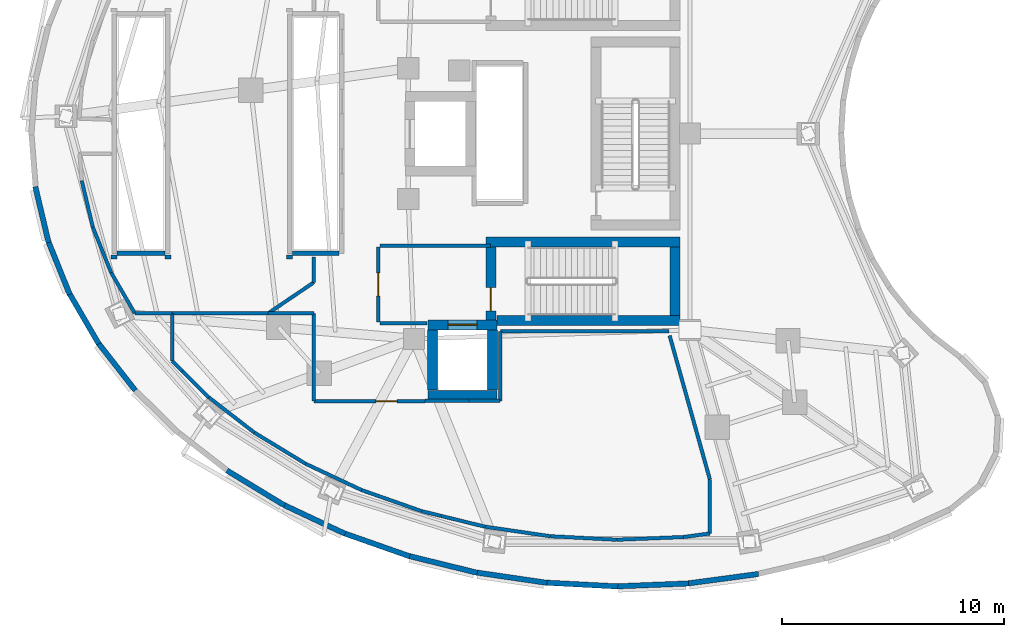
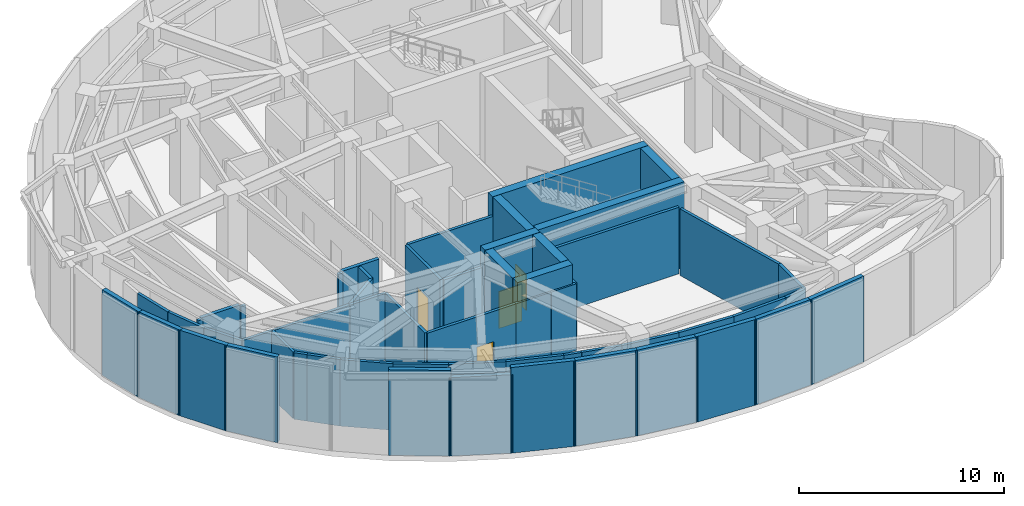
# One storey, part 4 of 10: 57 walls, 4 doors, 4 openings.
"""IFC4 building model written with IfcOpenShell, lengths in metres."""

from ifc_helpers import new_model, si_unit, direction, frame, frame_2d, origin, place, context, subcontext, project, spatial, rectangle, extrude, material, layer, layer_set, type_object, element, fill, save


model = new_model("IFC4")

# Units and contexts
model_context = context("Model", 3, precision=1e-05, world=origin(), true_north=direction((0.0, 1.0)))
body_context = subcontext(model_context, "Body", "Model", "MODEL_VIEW")
ifc_project = project(units=[si_unit("LENGTHUNIT", "METRE"), si_unit("AREAUNIT", "SQUARE_METRE"), si_unit("VOLUMEUNIT", "CUBIC_METRE"), si_unit("PLANEANGLEUNIT", "RADIAN"), si_unit("MASSUNIT", "GRAM", prefix="KILO")], contexts=[model_context])

# Site, building, storey
site_placement = place(None, origin())
site = spatial("IfcSite", under=ifc_project, at=site_placement, CompositionType="ELEMENT")
building_placement = place(site_placement, origin())
building = spatial("IfcBuilding", under=site, at=building_placement, Name="Korentha Bioscience Tower", CompositionType="ELEMENT")
storey_placement = place(building_placement, frame((0.0, 0.0, 148.800048828125)))
storey = spatial("IfcBuildingStorey", under=building, at=storey_placement, Name="L34", CompositionType="ELEMENT", Elevation=148.800048828125)

# Wall, opening, door
ifc_material_1 = material(Name="Gypsum-Clad Steel Stud", Category="steel")
ifc_layer_1 = layer(ifc_material_1, 0.159912109375, Name="Gypsum-Clad Steel Stud")
ifc_layer_set_1 = layer_set([ifc_layer_1], Name="Gypsum-Clad Steel Stud (IW-C160)")
wall_type_1 = type_object("IfcWallType", Name="Fire-Rated Corridor Partition Wall 160", PredefinedType="PARTITIONING", material=ifc_layer_set_1)
wall_1_placement = place(storey_placement, frame((23.5, 18.5, 0.0), z_axis=(0.0, 0.0, 1.0), x_axis=(0.0, 1.0, 0.0)))
wall_1 = element("IfcWall", 1, at=wall_1_placement, inside=storey, type_object=wall_type_1, Name="L34 FFLS-CW Rated Enclosure Wall", PredefinedType="PARTITIONING", context=body_context, shape_type="SweptSolid", body=[
    extrude(rectangle(XDim=3.39990234375, YDim=0.159912109375, at=frame_2d((1.699951171875, 0.0))), origin(), (0.0, 0.0, 1.0), 3.9599609375),
])
opening_1_placement = place(wall_1_placement, frame((1.175048828125, 0.0, 0.0)))
opening_1 = element("IfcOpeningElement", 2, at=opening_1_placement, cuts=wall_1, Name="Opening FD-90L", PredefinedType="OPENING", context=body_context, shape_type="SweptSolid", body=[
    extrude(rectangle(XDim=1.050048828125, YDim=2.14990234375, at=frame_2d((0.52490234375, 1.074951171875))), frame((0.0, 0.0947265625, 0.0), z_axis=(0.0, -1.0, 0.0), x_axis=(1.0, 0.0, 0.0)), (0.0, 0.0, 1.0), 0.189697265625),
])
ifc_material_2 = material(Name="Powder-Coated Fire-Rated Steel", Category="steel")
door_type_1 = type_object("IfcDoorType", Name="Stairwell Fire Exit Door 1050x2150 Left", OperationType="SINGLE_SWING_LEFT", PredefinedType="DOOR", material=ifc_material_2)
door_1_placement = place(opening_1_placement, origin())
door_1 = element("IfcDoor", 3, at=door_1_placement, inside=storey, type_object=door_type_1, Name="L34 South Firefighting Lobby Door", OperationType="SINGLE_SWING_LEFT", OverallHeight=2.14990234375, OverallWidth=1.050048828125, PredefinedType="DOOR", context=body_context, shape_type="SweptSolid", body=[
    extrude(rectangle(XDim=1.050048828125, YDim=2.14990234375, at=frame_2d((0.52490234375, 1.074951171875))), frame((0.0, 0.02490234375, 0.0), z_axis=(0.0, -1.0, 0.0), x_axis=(1.0, 0.0, 0.0)), (0.0, 0.0, 1.0), 0.050048828125),
])
fill(opening_1, door_1)

# Walls
wall_2_placement = place(storey_placement, frame((23.580078125, 21.949951171875, 0.0), z_axis=(0.0, 0.0, 1.0), x_axis=(1.0, 0.0, 0.0)))
element("IfcWall", 4, at=wall_2_placement, inside=storey, type_object=wall_type_1, Name="L34 Firefighting Lobby Return Wall FFLS-N", PredefinedType="PARTITIONING", context=body_context, shape_type="SweptSolid", body=[
    extrude(rectangle(XDim=4.969970703125, YDim=0.159912109375, at=frame_2d((2.48486328125, 0.0))), origin(), (0.0, 0.0, 1.0), 3.9599609375),
])
wall_3_placement = place(storey_placement, frame((23.580078125, 18.449951171875, 0.0), z_axis=(0.0, 0.0, 1.0), x_axis=(1.0, 0.0, 0.0)))
element("IfcWall", 5, at=wall_3_placement, inside=storey, type_object=wall_type_1, Name="L34 Firefighting Lobby Return Wall FFLS-S", PredefinedType="PARTITIONING", context=body_context, shape_type="SweptSolid", body=[
    extrude(rectangle(XDim=2.119873046875, YDim=0.159912109375, at=frame_2d((1.06005859375, 0.0))), origin(), (0.0, 0.0, 1.0), 3.9599609375),
])

# Wall, opening, door
wall_4_placement = place(storey_placement, frame((20.60009765625, 14.93994140625, 0.0), z_axis=(0.0, 0.0, 1.0), x_axis=(1.0, 0.0, 0.0)))
wall_4 = element("IfcWall", 6, at=wall_4_placement, inside=storey, type_object=wall_type_1, Name="L34 Laboratory Make-Up Air Handling Plant 01 Entrance Wall", PredefinedType="PARTITIONING", context=body_context, shape_type="SweptSolid", body=[
    extrude(rectangle(XDim=5.0, YDim=0.159912109375, at=frame_2d((2.5, 0.0))), origin(), (0.0, 0.0, 1.0), 3.9599609375),
])
opening_2_placement = place(wall_4_placement, frame((2.79443359375, 0.0, 0.0)))
opening_2 = element("IfcOpeningElement", 7, at=opening_2_placement, cuts=wall_4, Name="Opening FD-120D", PredefinedType="OPENING", context=body_context, shape_type="SweptSolid", body=[
    extrude(rectangle(XDim=0.949951171875, YDim=2.14990234375, at=frame_2d((0.47509765625, 1.074951171875))), frame((0.0, 0.0947265625, 0.0), z_axis=(0.0, -1.0, 0.0), x_axis=(1.0, 0.0, 0.0)), (0.0, 0.0, 1.0), 0.189697265625),
])
ifc_material_3 = material(Name="Heavy-Duty Insulated Steel", Category="steel")
door_type_2 = type_object("IfcDoorType", Name="Plant & Riser Fire Door 950x2150 Left", OperationType="SINGLE_SWING_LEFT", PredefinedType="DOOR", material=ifc_material_3)
door_2_placement = place(opening_2_placement, origin())
door_2 = element("IfcDoor", 8, at=door_2_placement, inside=storey, type_object=door_type_2, Name="L34 Laboratory Make-Up Air Handling Plant 01 Door", OperationType="SINGLE_SWING_LEFT", OverallHeight=2.14990234375, OverallWidth=0.949951171875, PredefinedType="DOOR", context=body_context, shape_type="SweptSolid", body=[
    extrude(rectangle(XDim=0.949951171875, YDim=2.14990234375, at=frame_2d((0.47509765625, 1.074951171875))), frame((0.0, 0.02490234375, 0.0), z_axis=(0.0, -1.0, 0.0), x_axis=(1.0, 0.0, 0.0)), (0.0, 0.0, 1.0), 0.050048828125),
])
fill(opening_2, door_2)

# Walls
wall_5_placement = place(storey_placement, frame((14.2021484375, 18.89794921875, 0.0), z_axis=(0.0, 0.0, 1.0), x_axis=(1.0, 0.0, 0.0)))
element("IfcWall", 9, at=wall_5_placement, inside=storey, type_object=wall_type_1, Name="L34 Interior Partition 005", PredefinedType="PARTITIONING", context=body_context, shape_type="SweptSolid", body=[
    extrude(rectangle(XDim=4.32763671875, YDim=0.159912109375, at=frame_2d((2.163818359375, 0.0))), origin(), (0.0, 0.0, 1.0), 3.9599609375),
])
wall_6_placement = place(storey_placement, frame((18.537109375, 18.89794921875, 0.0), z_axis=(0.0, 0.0, 1.0), x_axis=(1.0, 0.0, 0.0)))
element("IfcWall", 10, at=wall_6_placement, inside=storey, type_object=wall_type_1, Name="L34 Interior Partition 006", PredefinedType="PARTITIONING", context=body_context, shape_type="SweptSolid", body=[
    extrude(rectangle(XDim=2.052978515625, YDim=0.159912109375, at=frame_2d((1.0263671875, 0.0))), origin(), (0.0, 0.0, 1.0), 3.9599609375),
])
wall_7_placement = place(storey_placement, frame((20.590087890625, 18.89794921875, 0.0), z_axis=(0.0, 0.0, 1.0), x_axis=(0.0, -1.0, 0.0)))
element("IfcWall", 11, at=wall_7_placement, inside=storey, type_object=wall_type_1, Name="L34 Interior Partition 007", PredefinedType="PARTITIONING", context=body_context, shape_type="SweptSolid", body=[
    extrude(rectangle(XDim=3.947998046875, YDim=0.159912109375, at=frame_2d((1.97412109375, 0.0))), origin(), (0.0, 0.0, 1.0), 3.9599609375),
])
wall_8_placement = place(storey_placement, frame((25.610107421875, 14.949951171875, 0.0), z_axis=(0.0, 0.0, 1.0), x_axis=(1.0, 0.0, 0.0)))
element("IfcWall", 12, at=wall_8_placement, inside=storey, type_object=wall_type_1, Name="L34 Interior Partition 008", PredefinedType="PARTITIONING", context=body_context, shape_type="SweptSolid", body=[
    extrude(rectangle(XDim=1.972412109375, YDim=0.159912109375, at=frame_2d((0.986328125, 0.0))), origin(), (0.0, 0.0, 1.0), 3.9599609375),
])
wall_9_placement = place(storey_placement, frame((27.5869140625, 14.949951171875, 0.0), z_axis=(0.0, 0.0, 1.0), x_axis=(1.0, 0.0, 0.0)))
element("IfcWall", 13, at=wall_9_placement, inside=storey, type_object=wall_type_1, Name="L34 Interior Partition 009", PredefinedType="PARTITIONING", context=body_context, shape_type="SweptSolid", body=[
    extrude(rectangle(XDim=1.4091796875, YDim=0.159912109375, at=frame_2d((0.70458984375, 0.0))), origin(), (0.0, 0.0, 1.0), 3.9599609375),
])
wall_10_placement = place(storey_placement, frame((29.0, 14.9541015625, 0.0), z_axis=(0.0, 0.0, 1.0), x_axis=(0.0, 1.0, 0.0)))
element("IfcWall", 14, at=wall_10_placement, inside=storey, type_object=wall_type_1, Name="L34 Interior Partition 010", PredefinedType="PARTITIONING", context=body_context, shape_type="SweptSolid", body=[
    extrude(rectangle(XDim=3.135986328125, YDim=0.159912109375, at=frame_2d((1.56787109375, 0.0))), origin(), (0.0, 0.0, 1.0), 3.9599609375),
])
wall_11_placement = place(storey_placement, frame((29.0, 18.090087890625, 0.0), z_axis=(0.0, 0.0, 1.0), x_axis=(1.0, 0.0, 0.0)))
element("IfcWall", 15, at=wall_11_placement, inside=storey, type_object=wall_type_1, Name="L34 Interior Partition 011", PredefinedType="PARTITIONING", context=body_context, shape_type="SweptSolid", body=[
    extrude(rectangle(XDim=7.602294921875, YDim=0.159912109375, at=frame_2d((3.80126953125, 0.0))), origin(), (0.0, 0.0, 1.0), 3.9599609375),
])
wall_12_placement = place(storey_placement, frame((36.63525390625, 17.893798828125, 0.0), z_axis=(0.0, 0.0, 1.0), x_axis=(0.269468384464, -0.963009236599, 0.0)))
element("IfcWall", 16, at=wall_12_placement, inside=storey, type_object=wall_type_1, Name="L34 Interior Partition 012", PredefinedType="PARTITIONING", context=body_context, shape_type="SweptSolid", body=[
    extrude(rectangle(XDim=6.72705078125, YDim=0.159912109375, at=frame_2d((3.363525390625, 0.0))), origin(), (0.0, 0.0, 1.0), 3.9599609375),
])
wall_13_placement = place(storey_placement, frame((38.447998046875, 11.415283203125, 0.0), z_axis=(0.0, 0.0, 1.0), x_axis=(0.0, -1.0, 0.0)))
element("IfcWall", 17, at=wall_13_placement, inside=storey, type_object=wall_type_1, Name="L34 Interior Partition 013", PredefinedType="PARTITIONING", context=body_context, shape_type="SweptSolid", body=[
    extrude(rectangle(XDim=2.443359375, YDim=0.159912109375, at=frame_2d((1.2216796875, 0.0))), origin(), (0.0, 0.0, 1.0), 3.9599609375),
])
wall_14_placement = place(storey_placement, frame((38.447998046875, 8.9716796875, 0.0), z_axis=(0.0, 0.0, 1.0), x_axis=(-0.991155201979, -0.132707820379, 0.0)))
element("IfcWall", 18, at=wall_14_placement, inside=storey, type_object=wall_type_1, Name="L34 Interior Partition 014", PredefinedType="PARTITIONING", context=body_context, shape_type="SweptSolid", body=[
    extrude(rectangle(XDim=1.205078125, YDim=0.159912109375, at=frame_2d((0.6025390625, 0.0))), origin(), (0.0, 0.0, 1.0), 3.9599609375),
])
wall_15_placement = place(storey_placement, frame((37.25341796875, 8.811767578125, 0.0), z_axis=(0.0, 0.0, 1.0), x_axis=(-0.999189222559, -0.040260371605, 0.0)))
element("IfcWall", 19, at=wall_15_placement, inside=storey, type_object=wall_type_1, Name="L34 Interior Partition 015", PredefinedType="PARTITIONING", context=body_context, shape_type="SweptSolid", body=[
    extrude(rectangle(XDim=3.001708984375, YDim=0.159912109375, at=frame_2d((1.5009765625, 0.0))), origin(), (0.0, 0.0, 1.0), 3.9599609375),
])
wall_16_placement = place(storey_placement, frame((34.25390625, 8.69091796875, 0.0), z_axis=(0.0, 0.0, 1.0), x_axis=(-0.998638877547, 0.052157379655, 0.0)))
element("IfcWall", 20, at=wall_16_placement, inside=storey, type_object=wall_type_1, Name="L34 Interior Partition 016", PredefinedType="PARTITIONING", context=body_context, shape_type="SweptSolid", body=[
    extrude(rectangle(XDim=3.00048828125, YDim=0.159912109375, at=frame_2d((1.500244140625, 0.0))), origin(), (0.0, 0.0, 1.0), 3.9599609375),
])
wall_17_placement = place(storey_placement, frame((31.25732421875, 8.847412109375, 0.0), z_axis=(0.0, 0.0, 1.0), x_axis=(-0.989461637153, 0.144795264436, 0.0)))
element("IfcWall", 21, at=wall_17_placement, inside=storey, type_object=wall_type_1, Name="L34 Interior Partition 017", PredefinedType="PARTITIONING", context=body_context, shape_type="SweptSolid", body=[
    extrude(rectangle(XDim=2.977783203125, YDim=0.159912109375, at=frame_2d((1.48876953125, 0.0))), origin(), (0.0, 0.0, 1.0), 3.9599609375),
])
wall_18_placement = place(storey_placement, frame((28.310791015625, 9.27880859375, 0.0), z_axis=(0.0, 0.0, 1.0), x_axis=(-0.971322169491, 0.237767203488, 0.0)))
element("IfcWall", 22, at=wall_18_placement, inside=storey, type_object=wall_type_1, Name="L34 Interior Partition 018", PredefinedType="PARTITIONING", context=body_context, shape_type="SweptSolid", body=[
    extrude(rectangle(XDim=2.037109375, YDim=0.159912109375, at=frame_2d((1.0185546875, 0.0))), origin(), (0.0, 0.0, 1.0), 3.9599609375),
])
wall_19_placement = place(storey_placement, frame((26.327880859375, 9.76416015625, 0.0), z_axis=(0.0, 0.0, 1.0), x_axis=(-0.971320502907, 0.237774011685, 0.0)))
element("IfcWall", 23, at=wall_19_placement, inside=storey, type_object=wall_type_1, Name="L34 Interior Partition 019", PredefinedType="PARTITIONING", context=body_context, shape_type="SweptSolid", body=[
    extrude(rectangle(XDim=0.893310546875, YDim=0.159912109375, at=frame_2d((0.44677734375, 0.0))), origin(), (0.0, 0.0, 1.0), 3.9599609375),
])
wall_20_placement = place(storey_placement, frame((25.4599609375, 9.9765625, 0.0), z_axis=(0.0, 0.0, 1.0), x_axis=(-0.943496054003, 0.331383759531, 0.0)))
element("IfcWall", 24, at=wall_20_placement, inside=storey, type_object=wall_type_1, Name="L34 Interior Partition 020", PredefinedType="PARTITIONING", context=body_context, shape_type="SweptSolid", body=[
    extrude(rectangle(XDim=2.87255859375, YDim=0.159912109375, at=frame_2d((1.436279296875, 0.0))), origin(), (0.0, 0.0, 1.0), 3.9599609375),
])
wall_21_placement = place(storey_placement, frame((22.74951171875, 10.928466796875, 0.0), z_axis=(0.0, 0.0, 1.0), x_axis=(-0.905016637479, 0.425376169861, 0.0)))
element("IfcWall", 25, at=wall_21_placement, inside=storey, type_object=wall_type_1, Name="L34 Interior Partition 021", PredefinedType="PARTITIONING", context=body_context, shape_type="SweptSolid", body=[
    extrude(rectangle(XDim=2.7939453125, YDim=0.159912109375, at=frame_2d((1.39697265625, 0.0))), origin(), (0.0, 0.0, 1.0), 3.9599609375),
])
wall_22_placement = place(storey_placement, frame((20.220703125, 12.1171875, 0.0), z_axis=(0.0, 0.0, 1.0), x_axis=(-0.854561256141, 0.519350613269, 0.0)))
element("IfcWall", 26, at=wall_22_placement, inside=storey, type_object=wall_type_1, Name="L34 Interior Partition 022", PredefinedType="PARTITIONING", context=body_context, shape_type="SweptSolid", body=[
    extrude(rectangle(XDim=2.7021484375, YDim=0.159912109375, at=frame_2d((1.35107421875, 0.0))), origin(), (0.0, 0.0, 1.0), 3.9599609375),
])
wall_23_placement = place(storey_placement, frame((17.911376953125, 13.5205078125, 0.0), z_axis=(0.0, 0.0, 1.0), x_axis=(-0.790528685489, 0.612425013711, 0.0)))
element("IfcWall", 27, at=wall_23_placement, inside=storey, type_object=wall_type_1, Name="L34 Interior Partition 023", PredefinedType="PARTITIONING", context=body_context, shape_type="SweptSolid", body=[
    extrude(rectangle(XDim=2.600341796875, YDim=0.159912109375, at=frame_2d((1.30029296875, 0.0))), origin(), (0.0, 0.0, 1.0), 3.9599609375),
])
wall_24_placement = place(storey_placement, frame((15.85546875, 15.11328125, 0.0), z_axis=(0.0, 0.0, 1.0), x_axis=(-0.711498621038, 0.702687492604, 0.0)))
element("IfcWall", 28, at=wall_24_placement, inside=storey, type_object=wall_type_1, Name="L34 Interior Partition 024", PredefinedType="PARTITIONING", context=body_context, shape_type="SweptSolid", body=[
    extrude(rectangle(XDim=1.66259765625, YDim=0.159912109375, at=frame_2d((0.831298828125, 0.0))), origin(), (0.0, 0.0, 1.0), 3.9599609375),
])
wall_25_placement = place(storey_placement, frame((14.669677734375, 16.28466796875, 0.0), z_axis=(0.0, 0.0, 1.0), x_axis=(-0.711551531629, 0.702633914522, 0.0)))
element("IfcWall", 29, at=wall_25_placement, inside=storey, type_object=wall_type_1, Name="L34 Interior Partition 025", PredefinedType="PARTITIONING", context=body_context, shape_type="SweptSolid", body=[
    extrude(rectangle(XDim=0.656982421875, YDim=0.159912109375, at=frame_2d((0.32861328125, 0.0))), origin(), (0.0, 0.0, 1.0), 3.9599609375),
])
wall_26_placement = place(storey_placement, frame((14.201904296875, 16.74658203125, 0.0), z_axis=(0.0, 0.0, 1.0), x_axis=(0.0, 1.0, 0.0)))
element("IfcWall", 30, at=wall_26_placement, inside=storey, type_object=wall_type_1, Name="L34 Interior Partition 026", PredefinedType="PARTITIONING", context=body_context, shape_type="SweptSolid", body=[
    extrude(rectangle(XDim=2.1513671875, YDim=0.159912109375, at=frame_2d((1.07568359375, 0.0))), origin(), (0.0, 0.0, 1.0), 3.9599609375),
])
wall_27_placement = place(storey_placement, frame((19.35009765625, 21.43994140625, 0.0), z_axis=(0.0, 0.0, 1.0), x_axis=(1.0, 0.0, 0.0)))
element("IfcWall", 31, at=wall_27_placement, inside=storey, type_object=wall_type_1, Name="L34 Interior Partition 054", PredefinedType="PARTITIONING", context=body_context, shape_type="SweptSolid", body=[
    extrude(rectangle(XDim=0.27001953125, YDim=0.159912109375, at=frame_2d((0.135009765625, 0.0))), origin(), (0.0, 0.0, 1.0), 3.9599609375),
])
wall_28_placement = place(storey_placement, frame((20.590087890625, 21.43994140625, 0.0), z_axis=(0.0, 0.0, 1.0), x_axis=(0.0, -1.0, 0.0)))
element("IfcWall", 32, at=wall_28_placement, inside=storey, type_object=wall_type_1, Name="L34 Interior Partition 055", PredefinedType="PARTITIONING", context=body_context, shape_type="SweptSolid", body=[
    extrude(rectangle(XDim=1.147216796875, YDim=0.159912109375, at=frame_2d((0.57373046875, 0.0))), origin(), (0.0, 0.0, 1.0), 3.9599609375),
])
wall_29_placement = place(storey_placement, frame((20.590087890625, 20.292724609375, 0.0), z_axis=(0.0, 0.0, 1.0), x_axis=(-0.828075588366, -0.560616464217, 0.0)))
element("IfcWall", 33, at=wall_29_placement, inside=storey, type_object=wall_type_1, Name="L34 Interior Partition 056", PredefinedType="PARTITIONING", context=body_context, shape_type="SweptSolid", body=[
    extrude(rectangle(XDim=2.469970703125, YDim=0.159912109375, at=frame_2d((1.23486328125, 0.0))), origin(), (0.0, 0.0, 1.0), 3.9599609375),
])
wall_30_placement = place(storey_placement, frame((14.19287109375, 18.902099609375, 0.0), z_axis=(0.0, 0.0, 1.0), x_axis=(-1.0, 0.0, 0.0)))
element("IfcWall", 34, at=wall_30_placement, inside=storey, type_object=wall_type_1, Name="L34 Interior Partition 057", PredefinedType="PARTITIONING", context=body_context, shape_type="SweptSolid", body=[
    extrude(rectangle(XDim=1.673095703125, YDim=0.159912109375, at=frame_2d((0.83642578125, 0.0))), origin(), (0.0, 0.0, 1.0), 3.9599609375),
])
wall_31_placement = place(storey_placement, frame((12.51953125, 18.902099609375, 0.0), z_axis=(0.0, 0.0, 1.0), x_axis=(-0.503125336015, 0.864213455264, 0.0)))
element("IfcWall", 35, at=wall_31_placement, inside=storey, type_object=wall_type_1, Name="L34 Interior Partition 058", PredefinedType="PARTITIONING", context=body_context, shape_type="SweptSolid", body=[
    extrude(rectangle(XDim=2.11767578125, YDim=0.159912109375, at=frame_2d((1.058837890625, 0.0))), origin(), (0.0, 0.0, 1.0), 3.9599609375),
])
wall_32_placement = place(storey_placement, frame((11.453857421875, 20.732421875, 0.0), z_axis=(0.0, 0.0, 1.0), x_axis=(-0.373899477322, 0.927469234454, 0.0)))
element("IfcWall", 36, at=wall_32_placement, inside=storey, type_object=wall_type_1, Name="L34 Interior Partition 059", PredefinedType="PARTITIONING", context=body_context, shape_type="SweptSolid", body=[
    extrude(rectangle(XDim=2.213623046875, YDim=0.159912109375, at=frame_2d((1.10693359375, 0.0))), origin(), (0.0, 0.0, 1.0), 3.9599609375),
])
wall_33_placement = place(storey_placement, frame((10.6259765625, 22.785400390625, 0.0), z_axis=(0.0, 0.0, 1.0), x_axis=(-0.230788212147, 0.973004008796, 0.0)))
element("IfcWall", 37, at=wall_33_placement, inside=storey, type_object=wall_type_1, Name="L34 Interior Partition 060", PredefinedType="PARTITIONING", context=body_context, shape_type="SweptSolid", body=[
    extrude(rectangle(XDim=2.15478515625, YDim=0.159912109375, at=frame_2d((1.077392578125, 0.0))), origin(), (0.0, 0.0, 1.0), 3.9599609375),
])
for number, where, z_axis, x_axis, name in (
    (38, (11.449951171875, 21.43994140625, 0.0), (0.0, 0.0, 1.0), (1.0, 0.0, 0.0), "L34 Interior Partition 063"),
    (39, (13.8798828125, 21.43994140625, 0.0), (0.0, 0.0, 1.0), (1.0, 0.0, 0.0), "L34 Interior Partition 064"),
):
    element("IfcWall", number, at=place(storey_placement, frame(where, z_axis=z_axis, x_axis=x_axis)), inside=storey, type_object=wall_type_1, Name=name, PredefinedType="PARTITIONING", context=body_context, shape_type="SweptSolid", body=[
        extrude(rectangle(XDim=0.27001953125, YDim=0.159912109375, at=frame_2d((0.135009765625, 0.0))), origin(), (0.0, 0.0, 1.0), 3.9599609375),
    ])
ifc_material_4 = material(Name="Autoclaved Aerated Concrete Block C25", Category="concrete")
ifc_layer_2 = layer(ifc_material_4, 0.199951171875, Name="Autoclaved Aerated Concrete Block C25")
ifc_layer_set_2 = layer_set([ifc_layer_2], Name="Autoclaved Aerated Concrete Block C25 (IW-S200)")
wall_type_2 = type_object("IfcWallType", Name="Lift and Riser Shaft Enclosure Wall 200", PredefinedType="PARTITIONING", material=ifc_layer_set_2)
wall_34_placement = place(storey_placement, frame((11.719970703125, 21.60009765625, 0.0), z_axis=(0.0, 0.0, 1.0), x_axis=(1.0, 0.0, 0.0)))
element("IfcWall", 40, at=wall_34_placement, inside=storey, type_object=wall_type_2, Name="L34 Lift Bank LOW Shaft Wall -Y", PredefinedType="PARTITIONING", context=body_context, shape_type="SweptSolid", body=[
    extrude(rectangle(XDim=2.159912109375, YDim=0.199951171875, at=frame_2d((1.080078125, 0.0))), origin(), (0.0, 0.0, 1.0), 3.9599609375),
])
wall_35_placement = place(storey_placement, frame((19.6201171875, 21.60009765625, 0.0), z_axis=(0.0, 0.0, 1.0), x_axis=(1.0, 0.0, 0.0)))
element("IfcWall", 41, at=wall_35_placement, inside=storey, type_object=wall_type_2, Name="L34 Lift Bank MID Shaft Wall -Y", PredefinedType="PARTITIONING", context=body_context, shape_type="SweptSolid", body=[
    extrude(rectangle(XDim=2.10986328125, YDim=0.199951171875, at=frame_2d((1.054931640625, 0.0))), origin(), (0.0, 0.0, 1.0), 3.9599609375),
])
ifc_material_5 = material(Name="Concrete C80", Category="concrete")
ifc_layer_3 = layer(ifc_material_5, 0.449951171875, Name="Concrete C80")
ifc_layer_set_3 = layer_set([ifc_layer_3], Name="Concrete C80 (CW-C80)")
wall_type_3 = type_object("IfcWallType", Name="Lower Core Shear Wall 450", PredefinedType="SHEAR", material=ifc_layer_set_3)
wall_36_placement = place(storey_placement, frame((28.85205078125, 18.574951171875, 0.0), z_axis=(0.0, 0.0, 1.0), x_axis=(1.0, 0.0, 0.0)))
element("IfcWall", 42, at=wall_36_placement, inside=storey, type_object=wall_type_3, Name="L34 Core Shear Wall ST2-S", PredefinedType="SHEAR", context=body_context, shape_type="SweptSolid", body=[
    extrude(rectangle(XDim=8.248046875, YDim=0.449951171875, at=frame_2d((4.1240234375, 0.0))), origin(), (0.0, 0.0, 1.0), 5.099853515625),
])
wall_37_placement = place(storey_placement, frame((28.35009765625, 22.125, 0.0), z_axis=(0.0, 0.0, 1.0), x_axis=(1.0, 0.0, 0.0)))
element("IfcWall", 43, at=wall_37_placement, inside=storey, type_object=wall_type_3, Name="L34 Core Shear Wall ST2-N", PredefinedType="SHEAR", context=body_context, shape_type="SweptSolid", body=[
    extrude(rectangle(XDim=8.75, YDim=0.449951171875, at=frame_2d((4.375, 0.0))), origin(), (0.0, 0.0, 1.0), 5.099853515625),
])
wall_38_placement = place(storey_placement, frame((36.875, 18.81005859375, 0.0), z_axis=(0.0, 0.0, 1.0), x_axis=(0.0, 1.0, 0.0)))
element("IfcWall", 44, at=wall_38_placement, inside=storey, type_object=wall_type_3, Name="L34 Core Shear Wall ST2-E", PredefinedType="SHEAR", context=body_context, shape_type="SweptSolid", body=[
    extrude(rectangle(XDim=3.079833984375, YDim=0.449951171875, at=frame_2d((1.5400390625, 0.0))), origin(), (0.0, 0.0, 1.0), 5.099853515625),
])

# Wall, opening, door
wall_39_placement = place(storey_placement, frame((28.574951171875, 18.60693359375, 0.0), z_axis=(0.0, 0.0, 1.0), x_axis=(0.0, 1.0, 0.0)))
wall_39 = element("IfcWall", 45, at=wall_39_placement, inside=storey, type_object=wall_type_3, Name="L34 Core Shear Wall ST2-W", PredefinedType="SHEAR", context=body_context, shape_type="SweptSolid", body=[
    extrude(rectangle(XDim=3.282958984375, YDim=0.449951171875, at=frame_2d((1.6416015625, 0.0))), origin(), (0.0, 0.0, 1.0), 5.099853515625),
])
opening_3_placement = place(wall_39_placement, frame((0.403076171875, 0.0, 0.0)))
opening_3 = element("IfcOpeningElement", 46, at=opening_3_placement, cuts=wall_39, Name="Opening FD-90L", PredefinedType="OPENING", context=body_context, shape_type="SweptSolid", body=[
    extrude(rectangle(XDim=1.050048828125, YDim=2.14990234375, at=frame_2d((0.52490234375, 1.074951171875))), frame((0.0, 0.23974609375, 0.0), z_axis=(0.0, -1.0, 0.0), x_axis=(1.0, 0.0, 0.0)), (0.0, 0.0, 1.0), 0.479736328125),
])
door_3_placement = place(opening_3_placement, origin())
door_3 = element("IfcDoor", 47, at=door_3_placement, inside=storey, type_object=door_type_1, Name="L34 ST-2 Fire Exit Stair Door", OperationType="SINGLE_SWING_LEFT", OverallHeight=2.14990234375, OverallWidth=1.050048828125, PredefinedType="DOOR", context=body_context, shape_type="SweptSolid", body=[
    extrude(rectangle(XDim=1.050048828125, YDim=2.14990234375, at=frame_2d((0.52490234375, 1.074951171875))), frame((0.0, 0.02490234375, 0.0), z_axis=(0.0, -1.0, 0.0), x_axis=(1.0, 0.0, 0.0)), (0.0, 0.0, 1.0), 0.050048828125),
])
fill(opening_3, door_3)

# Wall
wall_40_placement = place(storey_placement, frame((25.75, 15.199951171875, 0.0), z_axis=(0.0, 0.0, 1.0), x_axis=(1.0, 0.0, 0.0)))
element("IfcWall", 48, at=wall_40_placement, inside=storey, type_object=wall_type_3, Name="L34 Core Shear Wall FFL1-S", PredefinedType="SHEAR", context=body_context, shape_type="SweptSolid", body=[
    extrude(rectangle(XDim=3.10009765625, YDim=0.449951171875, at=frame_2d((1.550048828125, 0.0))), origin(), (0.0, 0.0, 1.0), 5.099853515625),
])

# Wall, opening, door
wall_41_placement = place(storey_placement, frame((25.75, 18.3798828125, 0.0), z_axis=(0.0, 0.0, 1.0), x_axis=(1.0, 0.0, 0.0)))
wall_41 = element("IfcWall", 49, at=wall_41_placement, inside=storey, type_object=wall_type_3, Name="L34 Core Shear Wall FFL1-N", PredefinedType="SHEAR", context=body_context, shape_type="SweptSolid", body=[
    extrude(rectangle(XDim=3.10009765625, YDim=0.449951171875, at=frame_2d((1.550048828125, 0.0))), origin(), (0.0, 0.0, 1.0), 5.099853515625),
])
opening_4_placement = place(wall_41_placement, frame((0.89990234375, 0.0, 0.0)))
opening_4 = element("IfcOpeningElement", 50, at=opening_4_placement, cuts=wall_41, Name="Opening LD-13", PredefinedType="OPENING", context=body_context, shape_type="SweptSolid", body=[
    extrude(rectangle(XDim=1.300048828125, YDim=2.199951171875, at=frame_2d((0.64990234375, 1.10009765625))), frame((0.0, 0.23974609375, 0.0), z_axis=(0.0, -1.0, 0.0), x_axis=(1.0, 0.0, 0.0)), (0.0, 0.0, 1.0), 0.479736328125),
])
ifc_material_6 = material(Name="Brushed Stainless Steel 316", Category="steel")
door_type_3 = type_object("IfcDoorType", Name="Service & Firefighting Lift Landing Door 1300x2300", OperationType="DOUBLE_DOOR_SLIDING", PredefinedType="DOOR", material=ifc_material_6)
door_4_placement = place(opening_4_placement, origin())
door_4 = element("IfcDoor", 51, at=door_4_placement, inside=storey, type_object=door_type_3, Name="L34 FFL-1 Sliding Lift Landing Door", OperationType="DOUBLE_DOOR_SLIDING", OverallHeight=2.199951171875, OverallWidth=1.300048828125, PredefinedType="DOOR", context=body_context, shape_type="SweptSolid", body=[
    extrude(rectangle(XDim=1.300048828125, YDim=2.199951171875, at=frame_2d((0.64990234375, 1.10009765625))), frame((0.0, 0.02490234375, 0.0), z_axis=(0.0, -1.0, 0.0), x_axis=(1.0, 0.0, 0.0)), (0.0, 0.0, 1.0), 0.050048828125),
])
fill(opening_4, door_4)

# Walls
for number, where, z_axis, x_axis, name in (
    (52, (25.949951171875, 15.43994140625, 0.0), (0.0, 0.0, 1.0), (0.0, 1.0, 0.0), "L34 Core Shear Wall FFL1-W"),
    (53, (28.64990234375, 15.43994140625, 0.0), (0.0, 0.0, 1.0), (0.0, 1.0, 0.0), "L34 Core Shear Wall FFL1-E"),
):
    element("IfcWall", number, at=place(storey_placement, frame(where, z_axis=z_axis, x_axis=x_axis)), inside=storey, type_object=wall_type_3, Name=name, PredefinedType="SHEAR", context=body_context, shape_type="SweptSolid", body=[
        extrude(rectangle(XDim=2.699951171875, YDim=0.449951171875, at=frame_2d((1.35009765625, 0.0))), origin(), (0.0, 0.0, 1.0), 5.099853515625),
    ])
ifc_material_7 = material(Name="Insulated Precast Concrete C40", Category="concrete")
ifc_layer_4 = layer(ifc_material_7, 0.239990234375, Name="Insulated Precast Concrete C40")
ifc_layer_set_4 = layer_set([ifc_layer_4], Name="Insulated Precast Concrete C40 (EW-PL240)")
wall_type_4 = type_object("IfcWallType", Name="Plant Acoustic Louvre Backup Wall 240", PredefinedType="STANDARD", material=ifc_layer_set_4)
wall_42_placement = place(storey_placement, frame((8.033935546875, 24.613525390625, 0.0), z_axis=(0.0, 0.0, 1.0), x_axis=(0.230848601632, -0.972989682949, 0.0)))
element("IfcWall", 54, at=wall_42_placement, inside=storey, type_object=wall_type_4, Name="L34 Plant Louvre Backup Wall 20", PredefinedType="STANDARD", context=body_context, shape_type="SweptSolid", body=[
    extrude(rectangle(XDim=2.59423828125, YDim=0.239990234375, at=frame_2d((1.297119140625, 0.0))), origin(), (0.0, 0.0, 1.0), 5.099853515625),
])
wall_43_placement = place(storey_placement, frame((8.59716796875, 22.201416015625, 0.0), z_axis=(0.0, 0.0, 1.0), x_axis=(0.37403502612, -0.927414577864, 0.0)))
element("IfcWall", 55, at=wall_43_placement, inside=storey, type_object=wall_type_4, Name="L34 Plant Louvre Backup Wall 21", PredefinedType="STANDARD", context=body_context, shape_type="SweptSolid", body=[
    extrude(rectangle(XDim=2.640869140625, YDim=0.239990234375, at=frame_2d((1.3203125, 0.0))), origin(), (0.0, 0.0, 1.0), 5.099853515625),
])
wall_44_placement = place(storey_placement, frame((9.533447265625, 19.857177734375, 0.0), z_axis=(0.0, 0.0, 1.0), x_axis=(0.503186464094, -0.864177864998, 0.0)))
element("IfcWall", 56, at=wall_44_placement, inside=storey, type_object=wall_type_4, Name="L34 Plant Louvre Backup Wall 22", PredefinedType="STANDARD", context=body_context, shape_type="SweptSolid", body=[
    extrude(rectangle(XDim=2.705810546875, YDim=0.239990234375, at=frame_2d((1.35302734375, 0.0))), origin(), (0.0, 0.0, 1.0), 5.099853515625),
])
wall_45_placement = place(storey_placement, frame((10.829833984375, 17.614990234375, 0.0), z_axis=(0.0, 0.0, 1.0), x_axis=(0.615887335046, -0.787834240516, 0.0)))
element("IfcWall", 57, at=wall_45_placement, inside=storey, type_object=wall_type_4, Name="L34 Plant Louvre Backup Wall 23", PredefinedType="STANDARD", context=body_context, shape_type="SweptSolid", body=[
    extrude(rectangle(XDim=2.784423828125, YDim=0.239990234375, at=frame_2d((1.39208984375, 0.0))), origin(), (0.0, 0.0, 1.0), 5.099853515625),
])
wall_46_placement = place(storey_placement, frame((16.6708984375, 11.817138671875, 0.0), z_axis=(0.0, 0.0, 1.0), x_axis=(0.854572854074, -0.519331529063, 0.0)))
element("IfcWall", 58, at=wall_46_placement, inside=storey, type_object=wall_type_4, Name="L34 Plant Louvre Backup Wall 26", PredefinedType="STANDARD", context=body_context, shape_type="SweptSolid", body=[
    extrude(rectangle(XDim=3.04638671875, YDim=0.239990234375, at=frame_2d((1.523193359375, 0.0))), origin(), (0.0, 0.0, 1.0), 5.099853515625),
])
wall_47_placement = place(storey_placement, frame((19.1748046875, 10.288330078125, 0.0), z_axis=(0.0, 0.0, 1.0), x_axis=(0.905004459278, -0.425402078847, 0.0)))
element("IfcWall", 59, at=wall_47_placement, inside=storey, type_object=wall_type_4, Name="L34 Plant Louvre Backup Wall 27", PredefinedType="STANDARD", context=body_context, shape_type="SweptSolid", body=[
    extrude(rectangle(XDim=3.1259765625, YDim=0.239990234375, at=frame_2d((1.56298828125, 0.0))), origin(), (0.0, 0.0, 1.0), 4.669921875),
])
wall_48_placement = place(storey_placement, frame((21.900146484375, 9.001220703125, 0.0), z_axis=(0.0, 0.0, 1.0), x_axis=(0.943485978809, -0.331412443626, 0.0)))
element("IfcWall", 60, at=wall_48_placement, inside=storey, type_object=wall_type_4, Name="L34 Plant Louvre Backup Wall 28", PredefinedType="STANDARD", context=body_context, shape_type="SweptSolid", body=[
    extrude(rectangle(XDim=3.194091796875, YDim=0.239990234375, at=frame_2d((1.59716796875, 0.0))), origin(), (0.0, 0.0, 1.0), 5.099853515625),
])
wall_49_placement = place(storey_placement, frame((24.806884765625, 7.974365234375, 0.0), z_axis=(0.0, 0.0, 1.0), x_axis=(0.971319985241, -0.237776126368, 0.0)))
element("IfcWall", 61, at=wall_49_placement, inside=storey, type_object=wall_type_4, Name="L34 Plant Louvre Backup Wall 29", PredefinedType="STANDARD", context=body_context, shape_type="SweptSolid", body=[
    extrude(rectangle(XDim=3.248779296875, YDim=0.239990234375, at=frame_2d((1.62451171875, 0.0))), origin(), (0.0, 0.0, 1.0), 5.099853515625),
])
wall_50_placement = place(storey_placement, frame((27.853271484375, 7.223388671875, 0.0), z_axis=(0.0, 0.0, 1.0), x_axis=(0.989453275289, -0.144852393905, 0.0)))
element("IfcWall", 62, at=wall_50_placement, inside=storey, type_object=wall_type_4, Name="L34 Plant Louvre Backup Wall 30", PredefinedType="STANDARD", context=body_context, shape_type="SweptSolid", body=[
    extrude(rectangle(XDim=3.28662109375, YDim=0.239990234375, at=frame_2d((1.643310546875, 0.0))), origin(), (0.0, 0.0, 1.0), 5.099853515625),
])
wall_51_placement = place(storey_placement, frame((30.99462890625, 6.75830078125, 0.0), z_axis=(0.0, 0.0, 1.0), x_axis=(0.998636933054, -0.052194596856, 0.0)))
element("IfcWall", 63, at=wall_51_placement, inside=storey, type_object=wall_type_4, Name="L34 Plant Louvre Backup Wall 31", PredefinedType="STANDARD", context=body_context, shape_type="SweptSolid", body=[
    extrude(rectangle(XDim=3.306884765625, YDim=0.239990234375, at=frame_2d((1.6533203125, 0.0))), origin(), (0.0, 0.0, 1.0), 5.099853515625),
])
wall_52_placement = place(storey_placement, frame((34.18603515625, 6.58642578125, 0.0), z_axis=(0.0, 0.0, 1.0), x_axis=(0.999190668381, 0.040224472911, 0.0)))
element("IfcWall", 64, at=wall_52_placement, inside=storey, type_object=wall_type_4, Name="L34 Plant Louvre Backup Wall 32", PredefinedType="STANDARD", context=body_context, shape_type="SweptSolid", body=[
    extrude(rectangle(XDim=3.307861328125, YDim=0.239990234375, at=frame_2d((1.65380859375, 0.0))), origin(), (0.0, 0.0, 1.0), 5.099853515625),
])
wall_53_placement = place(storey_placement, frame((37.380615234375, 6.7099609375, 0.0), z_axis=(0.0, 0.0, 1.0), x_axis=(0.991140852048, 0.132814951727, 0.0)))
element("IfcWall", 65, at=wall_53_placement, inside=storey, type_object=wall_type_4, Name="L34 Plant Louvre Backup Wall 33", PredefinedType="STANDARD", context=body_context, shape_type="SweptSolid", body=[
    extrude(rectangle(XDim=3.290283203125, YDim=0.239990234375, at=frame_2d((1.64501953125, 0.0))), origin(), (0.0, 0.0, 1.0), 5.099853515625),
])

save(model, "model.ifc")
